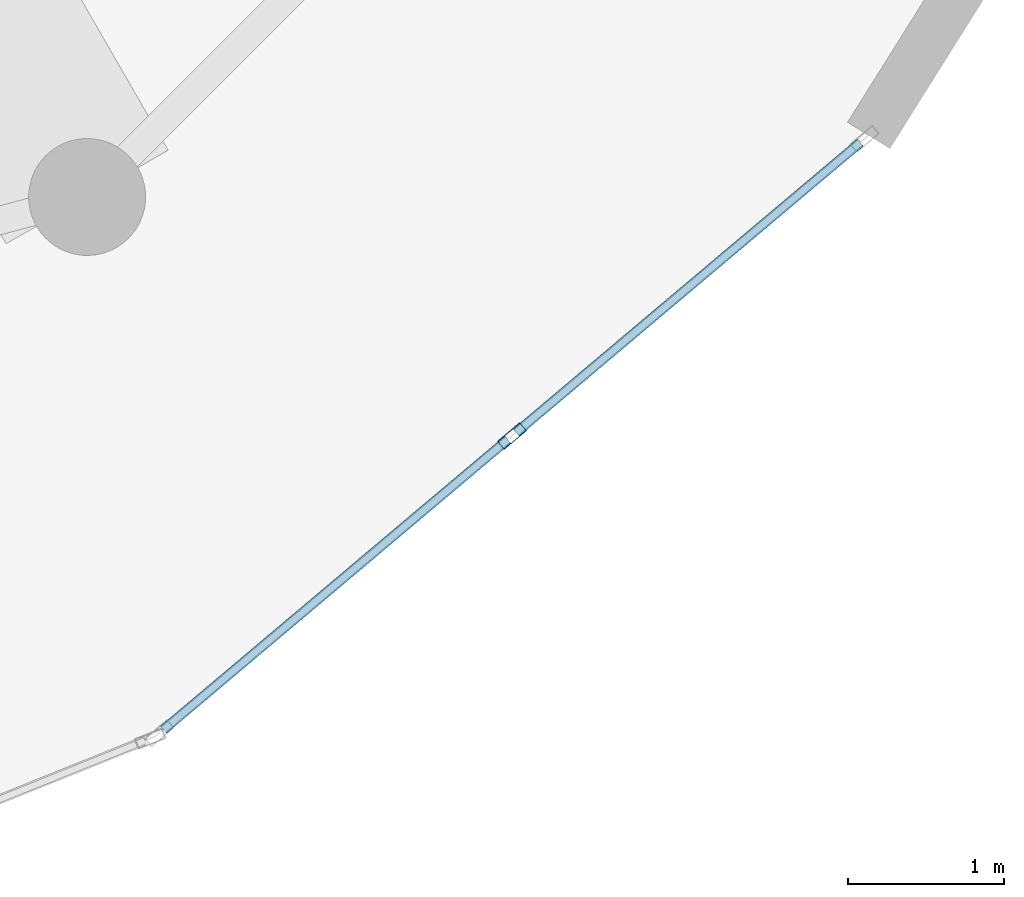
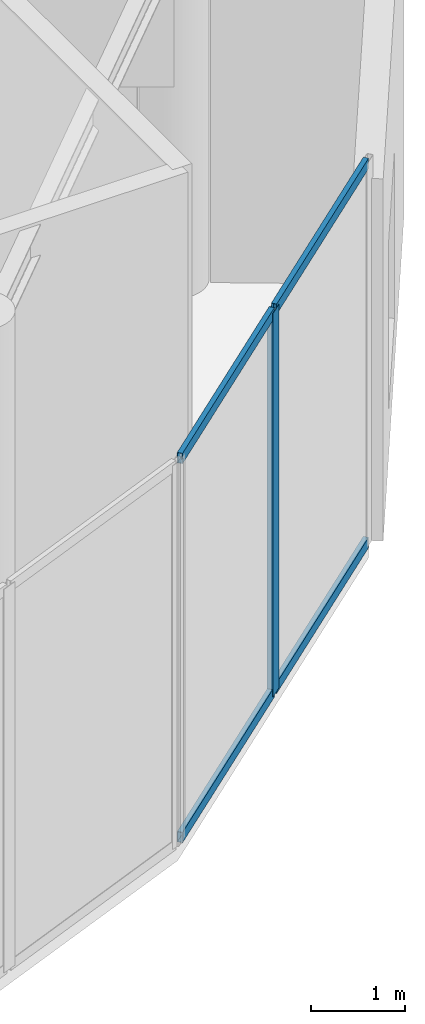
# One storey, part 6 of 20: 5 members, 1 element without a shape of its own.
"""IFC4 building model written with IfcOpenShell, lengths in metres."""

import ifcopenshell
import ifcopenshell.guid

model = None  # the IFC model being written
_history = None  # IfcOwnerHistory: only IFC2X3 demands one
_inside = {}  # id of a spatial element -> (the spatial element, [elements in it])
_under = {}  # id of a project, library or spatial element -> (it, [spatial elements below it])
_declared = {}  # id of a project -> (the project, [libraries it declares])
_typed = {}  # id of a type object -> (the type object, [elements of that type])
_made_of = {}  # id of a material, layer set ... -> (it, [elements and type objects made of it])


def new_model(schema):
    """Start an empty IFC model of exactly this schema.

    Asked for "IFC4X3", IfcOpenShell would pick the latest addendum, in which some entities
    have other attributes; the version numbers below select the first issue.
    IFC2X3 requires an IfcOwnerHistory on every rooted entity: one is made here for all.
    """
    global model, _history
    if schema == "IFC4X3":
        model = ifcopenshell.file(schema_version=(4, 3, 0, 0))
    else:
        model = ifcopenshell.file(schema=schema)
    _inside.clear()
    _under.clear()
    _declared.clear()
    _typed.clear()
    _made_of.clear()
    _history = None
    if model.schema == "IFC2X3":
        org = make("IfcOrganization", Name="unknown")
        user = make(
            "IfcPersonAndOrganization",
            ThePerson=make("IfcPerson", FamilyName="unknown"),
            TheOrganization=org,
        )
        app = make(
            "IfcApplication",
            ApplicationDeveloper=org,
            Version="unknown",
            ApplicationFullName="unknown",
            ApplicationIdentifier="unknown",
        )
        _history = make(
            "IfcOwnerHistory",
            OwningUser=user,
            OwningApplication=app,
            ChangeAction="ADDED",
            CreationDate=0,
        )
    return model


def make(cls, **values):
    """One entity of the class cls with the attributes given. An attribute that is None is left unset."""
    return model.create_entity(
        cls, **{name: value for name, value in values.items() if value is not None}
    )


def rooted(cls, **values):
    """An entity with a GlobalId (a new one), such as an element, a storey or a relation."""
    return make(cls, GlobalId=ifcopenshell.guid.new(), OwnerHistory=_history, **values)


def si_unit(unit_type, name, prefix=None):
    """IfcSIUnit, for example si_unit("LENGTHUNIT", "METRE", prefix="MILLI")."""
    return make("IfcSIUnit", UnitType=unit_type, Prefix=prefix, Name=name)


def assignment(units):
    """IfcUnitAssignment: the units of a project."""
    return None if units is None else make("IfcUnitAssignment", Units=units)


def point(xyz):
    """IfcCartesianPoint."""
    return None if xyz is None else make("IfcCartesianPoint", Coordinates=xyz)


def direction(xyz):
    """IfcDirection."""
    return None if xyz is None else make("IfcDirection", DirectionRatios=xyz)


def frame(location, z_axis=None, x_axis=None):
    """IfcAxis2Placement3D, a coordinate frame: its origin and axes. An axis left out is left unset."""
    return make(
        "IfcAxis2Placement3D",
        Location=point(location),
        Axis=direction(z_axis),
        RefDirection=direction(x_axis),
    )


def frame_2d(location, x_axis=None):
    """IfcAxis2Placement2D, a coordinate frame in the plane: its origin and x axis."""
    return make(
        "IfcAxis2Placement2D", Location=point(location), RefDirection=direction(x_axis)
    )


def origin():
    """The frame at (0, 0, 0) with its axes left unset."""
    return frame((0.0, 0.0, 0.0))


def origin_2d():
    """The frame at (0, 0) in the plane with its x axis left unset."""
    return frame_2d((0.0, 0.0))


def place(relative_to, where):
    """IfcLocalPlacement: puts the frame where relative to a parent placement (None: the world)."""
    return make(
        "IfcLocalPlacement", PlacementRelTo=relative_to, RelativePlacement=where
    )


def context(
    kind, dimensions, precision=None, world=None, true_north=None, identifier=None
):
    """IfcGeometricRepresentationContext, for example the 3D "Model" context."""
    return make(
        "IfcGeometricRepresentationContext",
        ContextIdentifier=identifier,
        ContextType=kind,
        CoordinateSpaceDimension=dimensions,
        Precision=precision,
        WorldCoordinateSystem=world,
        TrueNorth=true_north,
    )


def subcontext(parent, identifier, kind, view, scale=None):
    """IfcGeometricRepresentationSubContext, for example "Body" below "Model"."""
    return make(
        "IfcGeometricRepresentationSubContext",
        ContextIdentifier=identifier,
        ContextType=kind,
        ParentContext=parent,
        TargetScale=scale,
        TargetView=view,
    )


def project(units=None, contexts=None):
    """IfcProject with its units and contexts."""
    return rooted(
        "IfcProject",
        Name="project",
        RepresentationContexts=contexts,
        UnitsInContext=assignment(units),
    )


def spatial(cls, under=None, at=None, **own):
    """A site, building, storey or space (cls), placed at a placement, below another one or the project."""
    s = rooted(cls, ObjectPlacement=at, **own)
    if under is not None:
        _under.setdefault(under.id(), (under, []))[1].append(s)
    return s


def profile(cls, at=None, kind="AREA", **sizes):
    """A parametric profile (cls). Its sizes go by their IFC names, for example OverallWidth=200.0."""
    return make(cls, ProfileType=kind, Position=at, **sizes)


def hollow_rectangle(**sizes):
    """IfcRectangleHollowProfileDef."""
    return profile("IfcRectangleHollowProfileDef", **sizes)


def extrude(swept, where, along, depth):
    """IfcExtrudedAreaSolid: the profile swept, set in the frame where, extruded along a direction by depth."""
    return make(
        "IfcExtrudedAreaSolid",
        SweptArea=swept,
        Position=where,
        ExtrudedDirection=direction(along),
        Depth=depth,
    )


def shape(context_of_items, identifier, shape_type, items):
    """IfcShapeRepresentation: the items that make up one representation, for example the "Body"."""
    return make(
        "IfcShapeRepresentation",
        ContextOfItems=context_of_items,
        RepresentationIdentifier=identifier,
        RepresentationType=shape_type,
        Items=items,
    )


def source(mapping_origin, context_of_items, identifier, shape_type, items):
    """IfcRepresentationMap: a shape defined once, which mapped items show again and again."""
    return make(
        "IfcRepresentationMap",
        MappingOrigin=mapping_origin,
        MappedRepresentation=shape(context_of_items, identifier, shape_type, items),
    )


def transform(
    local_origin,
    x_axis=None,
    y_axis=None,
    z_axis=None,
    scale=None,
    scale2=None,
    scale3=None,
    uniform=True,
):
    """IfcCartesianTransformationOperator3D, or its non-uniform kind. x_axis, y_axis, z_axis: its Axis1, 2, 3."""
    if uniform:
        return make(
            "IfcCartesianTransformationOperator3D",
            Axis1=direction(x_axis),
            Axis2=direction(y_axis),
            LocalOrigin=point(local_origin),
            Scale=scale,
            Axis3=direction(z_axis),
        )
    return make(
        "IfcCartesianTransformationOperator3DnonUniform",
        Axis1=direction(x_axis),
        Axis2=direction(y_axis),
        LocalOrigin=point(local_origin),
        Scale=scale,
        Axis3=direction(z_axis),
        Scale2=scale2,
        Scale3=scale3,
    )


def mapped(mapping_source, mapping_target):
    """IfcMappedItem: shows the shape of a source again, moved by a transform."""
    return make(
        "IfcMappedItem", MappingSource=mapping_source, MappingTarget=mapping_target
    )


def material(Name=None, Category=None):
    """IfcMaterial."""
    return make("IfcMaterial", Name=Name, Category=Category)


def layer(
    of_material, thickness, ventilated=None, Name=None, Category=None, Priority=None
):
    """IfcMaterialLayer: one layer of a wall or slab, of a material (None: an air gap)."""
    return make(
        "IfcMaterialLayer",
        Material=of_material,
        LayerThickness=thickness,
        IsVentilated=ventilated,
        Name=Name,
        Category=Category,
        Priority=Priority,
    )


def layer_set(layers, Name=None):
    """IfcMaterialLayerSet."""
    return make("IfcMaterialLayerSet", MaterialLayers=layers, LayerSetName=Name)


def material_profile(
    of_material, cross_section, Name=None, Category=None, Priority=None
):
    """IfcMaterialProfile: a cross section and its material."""
    return make(
        "IfcMaterialProfile",
        Name=Name,
        Material=of_material,
        Profile=cross_section,
        Priority=Priority,
        Category=Category,
    )


def profile_set(profiles, Name=None, composite=None):
    """IfcMaterialProfileSet."""
    return make(
        "IfcMaterialProfileSet",
        Name=Name,
        MaterialProfiles=profiles,
        CompositeProfile=composite,
    )


def made_of(thing, what):
    """Note that an element or type object is made of a material, layer set ...; save() writes the relation."""
    if what is not None:
        _made_of.setdefault(what.id(), (what, []))[1].append(thing)
    return thing


def type_object(cls, material=None, **own):
    """A type object (cls), such as IfcWallType, which elements share."""
    return made_of(rooted(cls, **own), material)


def element(
    cls,
    number,
    at=None,
    inside=None,
    cuts=None,
    type_object=None,
    material=None,
    context=None,
    identifier="Body",
    shape_type=None,
    held_by="IfcProductDefinitionShape",
    body=None,
    shapes=None,
    **own,
):
    """One element of the class cls, such as IfcWall. Its Tag is "e" and its number.

    at: its placement. inside: the storey or other place that contains it. cuts: it is an
    opening in that element (IfcRelVoidsElement). A single representation is given by context,
    identifier, shape_type and body (its items); several are given by shapes. held_by: the class
    of the entity that holds the representations. save() writes the other relations.
    """
    e = rooted(cls, Tag="e%d" % number, ObjectPlacement=at, **own)
    if body is not None:
        shapes = [shape(context, identifier, shape_type, body)]
    if shapes is not None:
        e.Representation = make(held_by, Representations=shapes)
    if inside is not None:
        _inside.setdefault(inside.id(), (inside, []))[1].append(e)
    if cuts is not None:
        rooted(
            "IfcRelVoidsElement", RelatingBuildingElement=cuts, RelatedOpeningElement=e
        )
    if type_object is not None:
        _typed.setdefault(type_object.id(), (type_object, []))[1].append(e)
    return made_of(e, material)


def aggregate(whole, parts):
    """IfcRelAggregates: a whole, such as a stair, and the parts it consists of."""
    return rooted("IfcRelAggregates", RelatingObject=whole, RelatedObjects=parts)


def save(model, path):
    """Write the relations noted so far, then the file.

    IfcRelAggregates (storeys below a building ...), IfcRelContainedInSpatialStructure (elements
    in a storey), IfcRelDefinesByType, IfcRelAssociatesMaterial and IfcRelDeclares: one each for
    every whole, place, type object, material and project.
    """
    for whole, parts in _under.values():
        aggregate(whole, parts)
    for where, things in _inside.values():
        rooted(
            "IfcRelContainedInSpatialStructure",
            RelatedElements=things,
            RelatingStructure=where,
        )
    for kind, things in _typed.values():
        rooted("IfcRelDefinesByType", RelatedObjects=things, RelatingType=kind)
    for what, things in _made_of.values():
        rooted("IfcRelAssociatesMaterial", RelatedObjects=things, RelatingMaterial=what)
    for by, libraries in _declared.values():
        rooted("IfcRelDeclares", RelatingContext=by, RelatedDefinitions=libraries)
    model.write(path)


model = new_model("IFC4")

# Units and contexts
model_context = context("Model", 3, precision=1e-05, world=origin(), true_north=direction((0.0, 1.0)))
body_context = subcontext(model_context, "Body", "Model", "MODEL_VIEW")
ifc_project = project(units=[si_unit("LENGTHUNIT", "METRE"), si_unit("AREAUNIT", "SQUARE_METRE"), si_unit("VOLUMEUNIT", "CUBIC_METRE"), si_unit("PLANEANGLEUNIT", "RADIAN"), si_unit("MASSUNIT", "GRAM", prefix="KILO")], contexts=[model_context])

# Site, building, storey
site_placement = place(None, origin())
site = spatial("IfcSite", under=ifc_project, at=site_placement, CompositionType="ELEMENT")
building_placement = place(site_placement, origin())
building = spatial("IfcBuilding", under=site, at=building_placement, Name="Solvirekh Grand Hotel", CompositionType="ELEMENT")
storey_placement = place(building_placement, frame((0.0, 0.0, 297.199951171875)))
storey = spatial("IfcBuildingStorey", under=building, at=storey_placement, Name="L77", CompositionType="ELEMENT", Elevation=297.199951171875)

# Curtain wall, members
ifc_material = material(Name="Anodized Bronze Aluminium 6063-T6", Category="aluminium")
ifc_layer = layer(ifc_material, 0.18994140625)
ifc_layer_set = layer_set([ifc_layer], Name="Anodized Bronze Aluminium 6063-T6")
curtain_wall_type = type_object("IfcCurtainWallType", Name="CW_Sys5_SkyLobbyPanoramaCW", PredefinedType="NOTDEFINED", material=ifc_layer_set)
curtain_wall_placement = place(storey_placement, origin())
curtain_wall = element("IfcCurtainWall", 1, at=curtain_wall_placement, inside=storey, type_object=curtain_wall_type, Name="L77 unitised bronze-glass curtain wall CW-L77-C03", PredefinedType="NOTDEFINED")
ifc_material_profile_1 = material_profile(ifc_material, hollow_rectangle(XDim=0.070068359375, YDim=0.18994140625, WallThickness=0.0048828125, at=origin_2d()), Name="ALU RHS 190X70X5")
ifc_profile_set_1 = profile_set([ifc_material_profile_1], Name="Anodized Bronze Aluminium 6063-T6")
member_type_1 = type_object("IfcMemberType", Name="CWMullion_Sys5", PredefinedType="MULLION", material=ifc_profile_set_1)
shared_shape_1 = source(origin(), body_context, "Body", "SweptSolid", [
    extrude(hollow_rectangle(XDim=0.070068359375, YDim=0.18994140625, WallThickness=0.0048828125, at=origin_2d()), origin(), (0.0, 0.0, 1.0), 5.0),
])
member_1_placement = place(storey_placement, frame((10.449951171875, -14.9130859375, 0.0), z_axis=(0.0, 0.0, 1.0), x_axis=(-0.644382723333, 0.764703148856, 0.0)))
member_1 = element("IfcMember", 2, at=member_1_placement, type_object=member_type_1, Name="U05 mullion 2", PredefinedType="MULLION", context=body_context, shape_type="MappedRepresentation", body=[
    mapped(shared_shape_1, transform((0.0, 0.0, 0.0), x_axis=(1.0, 0.0, 0.0), y_axis=(0.0, 1.0, 0.0), z_axis=(0.0, 0.0, 1.0), scale=1.0)),
])
ifc_material_profile_2 = material_profile(ifc_material, hollow_rectangle(XDim=0.06005859375, YDim=0.135009765625, WallThickness=0.00390625, at=origin_2d()), Name="ALU RHS 135X60X4")
ifc_profile_set_2 = profile_set([ifc_material_profile_2], Name="Anodized Bronze Aluminium 6063-T6")
member_type_2 = type_object("IfcMemberType", Name="CWTransom_Sys5", PredefinedType="USERDEFINED", material=ifc_profile_set_2)
shared_shape_2 = source(origin(), body_context, "Body", "SweptSolid", [
    extrude(hollow_rectangle(XDim=0.06005859375, YDim=0.135009765625, WallThickness=0.00390625, at=origin_2d()), origin(), (0.0, 0.0, 1.0), 2.886962890625),
])
member_2_placement = place(storey_placement, frame((8.215576171875, -16.7958984375, 0.030029296875), z_axis=(0.764709413847, 0.644375288457, 0.0), x_axis=(-0.644375288457, 0.764709413847, 0.0)))
member_2 = element("IfcMember", 3, at=member_2_placement, type_object=member_type_2, Name="U05 transom 1.1", ObjectType="TRANSOM", PredefinedType="USERDEFINED", context=body_context, shape_type="MappedRepresentation", body=[
    mapped(shared_shape_2, transform((0.0, 0.0, 0.0), x_axis=(1.0, 0.0, 0.0), y_axis=(0.0, 1.0, 0.0), z_axis=(0.0, 0.0, 1.0), scale=1.0)),
])
member_3_placement = place(storey_placement, frame((8.215576171875, -16.7958984375, 4.969970703125), z_axis=(0.764709413847, 0.644375288457, 0.0), x_axis=(-0.644375288457, 0.764709413847, 0.0)))
member_3 = element("IfcMember", 4, at=member_3_placement, type_object=member_type_2, Name="U05 transom 1.2", ObjectType="TRANSOM", PredefinedType="USERDEFINED", context=body_context, shape_type="MappedRepresentation", body=[
    mapped(shared_shape_2, transform((0.0, 0.0, 0.0), x_axis=(1.0, 0.0, 0.0), y_axis=(0.0, 1.0, 0.0), z_axis=(0.0, 0.0, 1.0), scale=1.0)),
])
member_4_placement = place(storey_placement, frame((10.476806640625, -14.890380859375, 0.030029296875), z_axis=(0.764709413847, 0.644375288457, 0.0), x_axis=(-0.644375288457, 0.764709413847, 0.0)))
member_4 = element("IfcMember", 5, at=member_4_placement, type_object=member_type_2, Name="U05 transom 2.1", ObjectType="TRANSOM", PredefinedType="USERDEFINED", context=body_context, shape_type="MappedRepresentation", body=[
    mapped(shared_shape_2, transform((0.0, 0.0, 0.0), x_axis=(1.0, 0.0, 0.0), y_axis=(0.0, 1.0, 0.0), z_axis=(0.0, 0.0, 1.0), scale=1.0)),
])
member_5_placement = place(storey_placement, frame((10.476806640625, -14.890380859375, 4.969970703125), z_axis=(0.764709413847, 0.644375288457, 0.0), x_axis=(-0.644375288457, 0.764709413847, 0.0)))
member_5 = element("IfcMember", 6, at=member_5_placement, type_object=member_type_2, Name="U05 transom 2.2", ObjectType="TRANSOM", PredefinedType="USERDEFINED", context=body_context, shape_type="MappedRepresentation", body=[
    mapped(shared_shape_2, transform((0.0, 0.0, 0.0), x_axis=(1.0, 0.0, 0.0), y_axis=(0.0, 1.0, 0.0), z_axis=(0.0, 0.0, 1.0), scale=1.0)),
])
aggregate(curtain_wall, [member_1, member_2, member_3, member_4, member_5])

save(model, "model.ifc")
